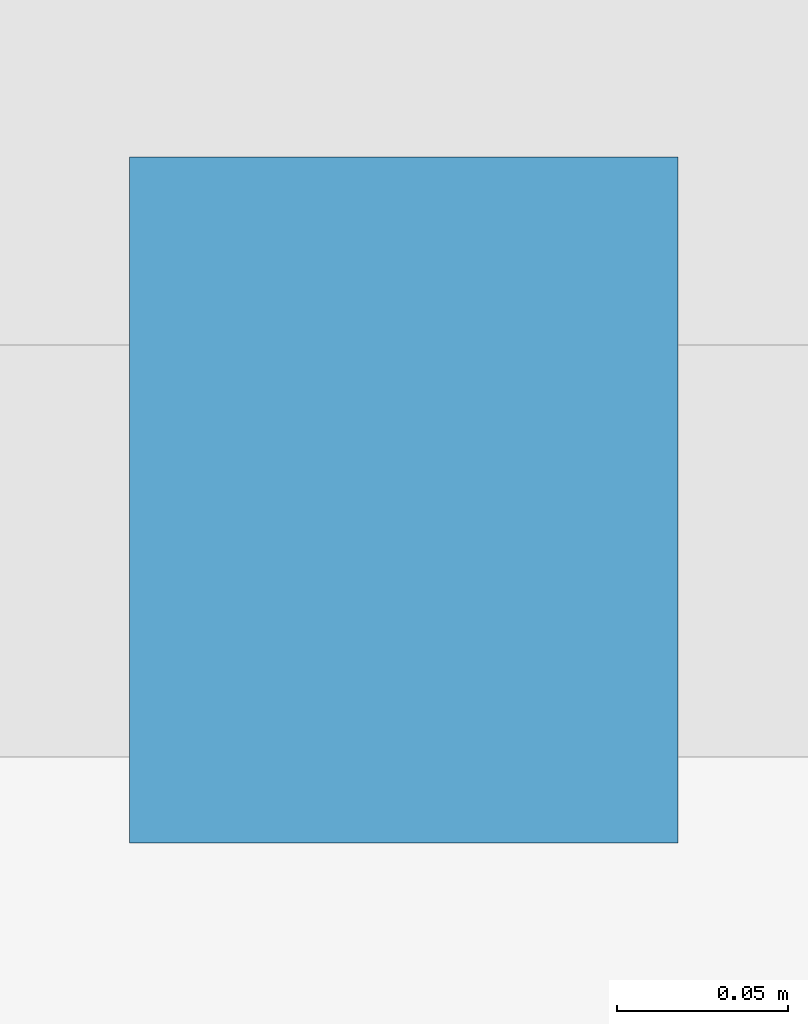
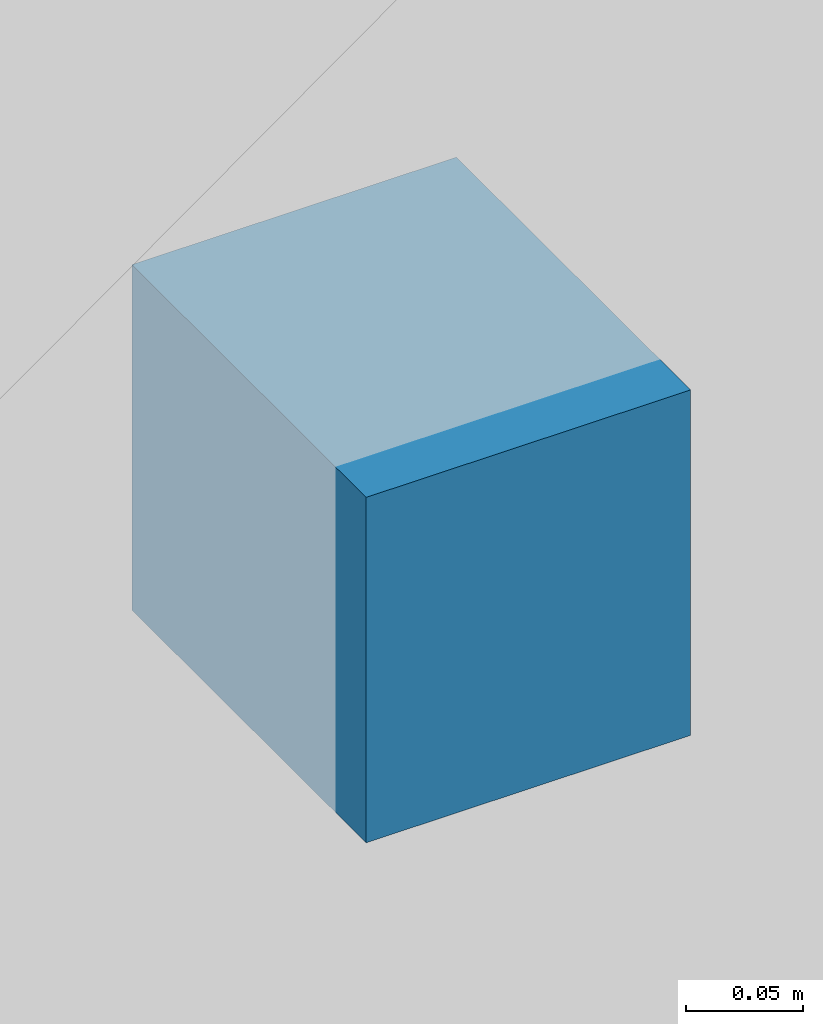
# One storey, part 17 of 22: 1 discrete accessory.
"""IFC4 building model written with IfcOpenShell, lengths in metres."""

from ifc_helpers import new_model, si_unit, direction, frame, origin, origin_2d, place, context, subcontext, project, spatial, rectangle, extrude, material, type_object, element, save


model = new_model("IFC4")

# Units and contexts
model_context = context("Model", 3, precision=1e-05, world=origin(), true_north=direction((0.0, 1.0)))
body_context = subcontext(model_context, "Body", "Model", "MODEL_VIEW")
ifc_project = project(units=[si_unit("LENGTHUNIT", "METRE"), si_unit("AREAUNIT", "SQUARE_METRE"), si_unit("VOLUMEUNIT", "CUBIC_METRE"), si_unit("PLANEANGLEUNIT", "RADIAN"), si_unit("MASSUNIT", "GRAM", prefix="KILO")], contexts=[model_context])

# Site, building, storey
site_placement = place(None, origin())
site = spatial("IfcSite", under=ifc_project, at=site_placement, CompositionType="ELEMENT")
building_placement = place(site_placement, origin())
building = spatial("IfcBuilding", under=site, at=building_placement, Name="Koriwani Terraces Tower", CompositionType="ELEMENT")
storey_placement = place(building_placement, frame((0.0, 0.0, 62.39990234375)))
storey = spatial("IfcBuildingStorey", under=building, at=storey_placement, Name="L14", CompositionType="ELEMENT", Elevation=62.39990234375)

# Discrete accessory
ifc_material = material(Name="Steel ASTM A572 Grade 50", Category="steel")
discrete_accessory_type = type_object("IfcDiscreteAccessoryType", Name="BAGUETTE_STANDOFF_BRACKET", PredefinedType="BRACKET", material=ifc_material)
discrete_accessory_placement = place(storey_placement, frame((79.800048828125, 33.2099609375, 1.68505859375), z_axis=(0.0, 0.0, 1.0), x_axis=(1.0, 0.0, 0.0)))
element("IfcDiscreteAccessory", 1, at=discrete_accessory_placement, inside=storey, type_object=discrete_accessory_type, Name="L14 Terracotta Baguette Bracket (NE-17)", PredefinedType="BRACKET", context=body_context, shape_type="SweptSolid", body=[
    extrude(rectangle(XDim=0.159912109375, YDim=0.199951171875, at=origin_2d()), origin(), (0.0, 0.0, 1.0), 0.179931640625),
])

save(model, "model.ifc")
